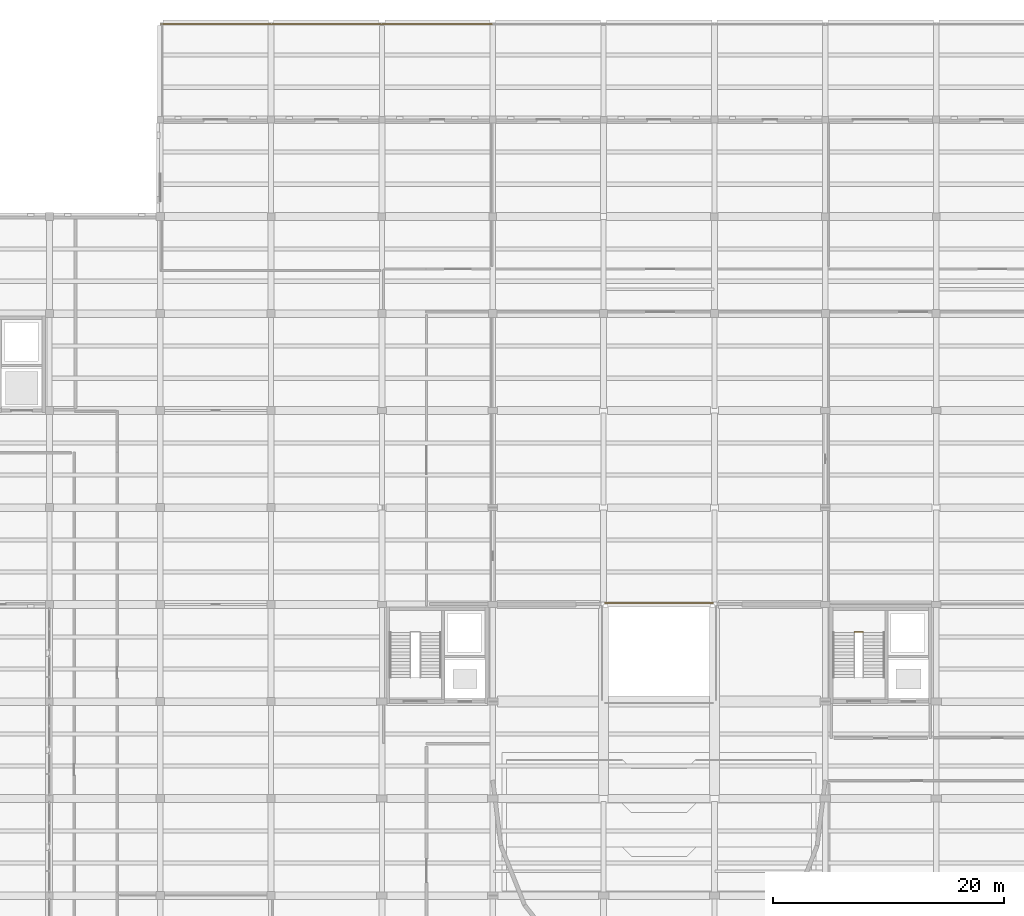
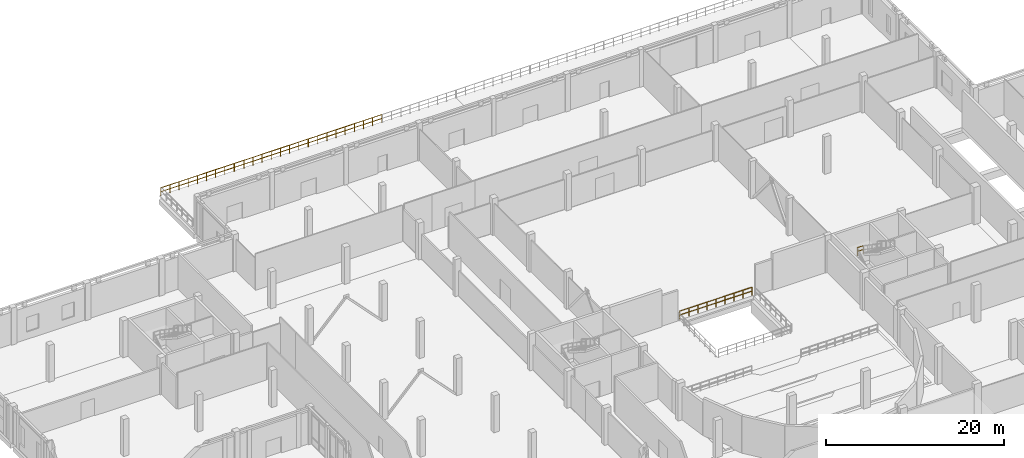
# One storey, part 66 of 71: 5 railings.
"""IFC4 building model written with IfcOpenShell, lengths in metres."""

from ifc_helpers import new_model, si_unit, direction, frame, origin, origin_2d, place, context, subcontext, project, spatial, circle, extrude, material, layer, layer_set, type_object, element, save


model = new_model("IFC4")

# Units and contexts
model_context = context("Model", 3, precision=1e-05, world=origin(), true_north=direction((0.0, 1.0)))
body_context = subcontext(model_context, "Body", "Model", "MODEL_VIEW")
ifc_project = project(units=[si_unit("LENGTHUNIT", "METRE"), si_unit("AREAUNIT", "SQUARE_METRE"), si_unit("VOLUMEUNIT", "CUBIC_METRE"), si_unit("PLANEANGLEUNIT", "RADIAN"), si_unit("MASSUNIT", "GRAM", prefix="KILO")], contexts=[model_context])

# Site, building, storey
site_placement = place(None, origin())
site = spatial("IfcSite", under=ifc_project, at=site_placement, CompositionType="ELEMENT")
building_placement = place(site_placement, origin())
building = spatial("IfcBuilding", under=site, at=building_placement, Name="Lornevale Opera House", CompositionType="ELEMENT")
storey_placement = place(building_placement, origin())
storey = spatial("IfcBuildingStorey", under=building, at=storey_placement, Name="L01", CompositionType="ELEMENT", Elevation=0.0)

# Railings
ifc_material = material(Name="Structural Steel CSA G40.21 Grade 350W (350 MPa)", Category="steel")
ifc_layer_1 = layer(ifc_material, 0.06005859375)
ifc_layer_set_1 = layer_set([ifc_layer_1], Name="Structural Steel CSA G40.21 Grade 350W (350 MPa)")
railing_type_1 = type_object("IfcRailingType", Name="Atrium Acoustic Balustrade 1120", PredefinedType="BALUSTRADE", material=ifc_layer_set_1)
railing_1_placement = place(storey_placement, frame((76.919921875, 67.340087890625, 0.0)))
element("IfcRailing", 1, at=railing_1_placement, inside=storey, type_object=railing_type_1, Name="Atrium & Bowl Balustrade L01 0299", PredefinedType="BALUSTRADE", context=body_context, shape_type="SweptSolid", body=[
    extrude(circle(Radius=0.02392578125, at=origin_2d()), frame((0.0, 0.0, 1.09619140625), z_axis=(1.0, 0.0, 0.0), x_axis=(0.0, 1.0, 0.0)), (0.0, 0.0, 1.0), 9.360107421875),
    extrude(circle(Radius=0.02392578125, at=origin_2d()), frame((0.0, 0.0, 0.56005859375), z_axis=(1.0, 0.0, 0.0), x_axis=(0.0, 1.0, 0.0)), (0.0, 0.0, 1.0), 9.360107421875),
    extrude(circle(Radius=0.02099609375, at=origin_2d()), origin(), (0.0, 0.0, 1.0), 1.072021484375),
    extrude(circle(Radius=0.02099609375, at=origin_2d()), frame((1.169921875, 0.0, 0.0)), (0.0, 0.0, 1.0), 1.072021484375),
    extrude(circle(Radius=0.02099609375, at=origin_2d()), frame((2.340087890625, 0.0, 0.0)), (0.0, 0.0, 1.0), 1.072021484375),
    extrude(circle(Radius=0.02099609375, at=origin_2d()), frame((3.510009765625, 0.0, 0.0)), (0.0, 0.0, 1.0), 1.072021484375),
    extrude(circle(Radius=0.02099609375, at=origin_2d()), frame((4.68017578125, 0.0, 0.0)), (0.0, 0.0, 1.0), 1.072021484375),
    extrude(circle(Radius=0.02099609375, at=origin_2d()), frame((5.85009765625, 0.0, 0.0)), (0.0, 0.0, 1.0), 1.072021484375),
    extrude(circle(Radius=0.02099609375, at=origin_2d()), frame((7.02001953125, 0.0, 0.0)), (0.0, 0.0, 1.0), 1.072021484375),
    extrude(circle(Radius=0.02099609375, at=origin_2d()), frame((8.190185546875, 0.0, 0.0)), (0.0, 0.0, 1.0), 1.072021484375),
    extrude(circle(Radius=0.02099609375, at=origin_2d()), frame((9.360107421875, 0.0, 0.0)), (0.0, 0.0, 1.0), 1.072021484375),
])
ifc_layer_2 = layer(ifc_material, 0.050048828125)
ifc_layer_set_2 = layer_set([ifc_layer_2], Name="Structural Steel CSA G40.21 Grade 350W (350 MPa)")
railing_type_2 = type_object("IfcRailingType", Name="Stair Well Guardrail 1100", PredefinedType="GUARDRAIL", material=ifc_layer_set_2)
railing_2_placement = place(storey_placement, frame((98.52001953125, 64.81005859375, 2.699951171875)))
element("IfcRailing", 2, at=railing_2_placement, inside=storey, type_object=railing_type_2, Name="ST-22 Half-Landing Slot Guard", PredefinedType="GUARDRAIL", context=body_context, shape_type="SweptSolid", body=[
    extrude(circle(Radius=0.02392578125, at=origin_2d()), frame((0.0, 0.0, 1.076171875), z_axis=(1.0, 0.0, 0.0), x_axis=(0.0, 1.0, 0.0)), (0.0, 0.0, 1.0), 0.760009765625),
    extrude(circle(Radius=0.02392578125, at=origin_2d()), frame((0.0, 0.0, 0.550048828125), z_axis=(1.0, 0.0, 0.0), x_axis=(0.0, 1.0, 0.0)), (0.0, 0.0, 1.0), 0.760009765625),
    extrude(circle(Radius=0.02099609375, at=origin_2d()), origin(), (0.0, 0.0, 1.0), 1.052001953125),
    extrude(circle(Radius=0.02099609375, at=origin_2d()), frame((0.760009765625, 0.0, 0.0)), (0.0, 0.0, 1.0), 1.052001953125),
])
ifc_layer_3 = layer(ifc_material, 0.06005859375)
ifc_layer_set_3 = layer_set([ifc_layer_3], Name="Structural Steel CSA G40.21 Grade 350W (350 MPa)")
railing_type_3 = type_object("IfcRailingType", Name="Terrace Tubular Guardrail 1120", PredefinedType="GUARDRAIL", material=ifc_layer_set_3)
for number, where, name in (
    (3, (38.449951171875, 117.4599609375, 0.0), "Terrace Perimeter Guard L01 0265"),
    (4, (48.050048828125, 117.4599609375, 0.0), "Terrace Perimeter Guard L01 0268"),
    (5, (57.64990234375, 117.4599609375, 0.0), "Terrace Perimeter Guard L01 0270"),
):
    element("IfcRailing", number, at=place(storey_placement, frame(where)), inside=storey, type_object=railing_type_3, Name=name, PredefinedType="GUARDRAIL", context=body_context, shape_type="SweptSolid", body=[
        extrude(circle(Radius=0.02392578125, at=origin_2d()), frame((0.0, 0.0, 1.09619140625), z_axis=(1.0, 0.0, 0.0), x_axis=(0.0, 1.0, 0.0)), (0.0, 0.0, 1.0), 9.5),
        extrude(circle(Radius=0.02392578125, at=origin_2d()), frame((0.0, 0.0, 0.56005859375), z_axis=(1.0, 0.0, 0.0), x_axis=(0.0, 1.0, 0.0)), (0.0, 0.0, 1.0), 9.5),
        extrude(circle(Radius=0.02099609375, at=origin_2d()), origin(), (0.0, 0.0, 1.0), 1.072021484375),
        extrude(circle(Radius=0.02099609375, at=origin_2d()), frame((1.1875, 0.0, 0.0)), (0.0, 0.0, 1.0), 1.072021484375),
        extrude(circle(Radius=0.02099609375, at=origin_2d()), frame((2.375, 0.0, 0.0)), (0.0, 0.0, 1.0), 1.072021484375),
        extrude(circle(Radius=0.02099609375, at=origin_2d()), frame((3.5625, 0.0, 0.0)), (0.0, 0.0, 1.0), 1.072021484375),
        extrude(circle(Radius=0.02099609375, at=origin_2d()), frame((4.75, 0.0, 0.0)), (0.0, 0.0, 1.0), 1.072021484375),
        extrude(circle(Radius=0.02099609375, at=origin_2d()), frame((5.9375, 0.0, 0.0)), (0.0, 0.0, 1.0), 1.072021484375),
        extrude(circle(Radius=0.02099609375, at=origin_2d()), frame((7.125, 0.0, 0.0)), (0.0, 0.0, 1.0), 1.072021484375),
        extrude(circle(Radius=0.02099609375, at=origin_2d()), frame((8.3125, 0.0, 0.0)), (0.0, 0.0, 1.0), 1.072021484375),
        extrude(circle(Radius=0.02099609375, at=origin_2d()), frame((9.5, 0.0, 0.0)), (0.0, 0.0, 1.0), 1.072021484375),
    ])

save(model, "model.ifc")
